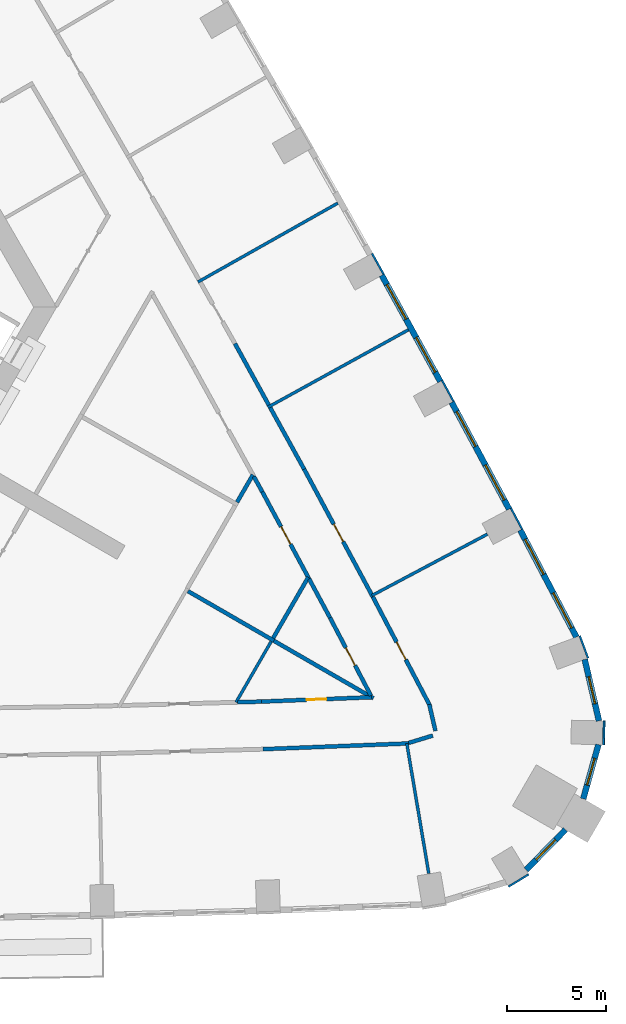
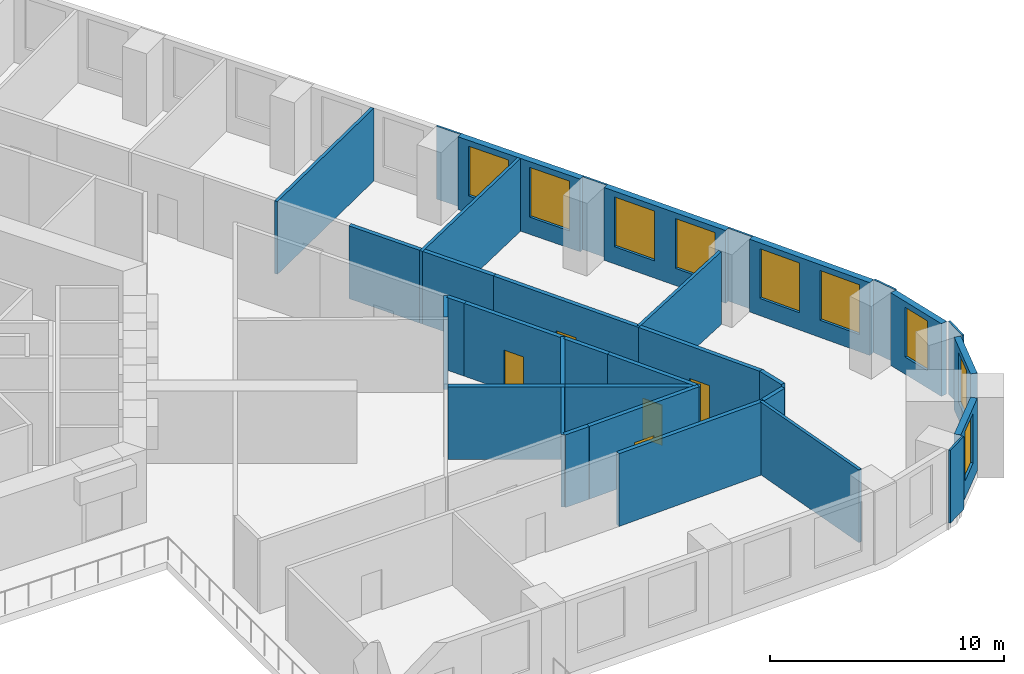
# One storey, part 11 of 15: 34 walls, 9 windows, 5 doors, 14 openings.
"""IFC4 building model written with IfcOpenShell, lengths in metres."""

from ifc_helpers import new_model, si_unit, direction, frame, frame_2d, origin, place, context, subcontext, project, spatial, rectangle, extrude, material, layer, layer_set, type_object, element, fill, save


model = new_model("IFC4")

# Units and contexts
model_context = context("Model", 3, precision=1e-05, world=origin(), true_north=direction((0.0, 1.0)))
body_context = subcontext(model_context, "Body", "Model", "MODEL_VIEW")
ifc_project = project(units=[si_unit("LENGTHUNIT", "METRE"), si_unit("AREAUNIT", "SQUARE_METRE"), si_unit("VOLUMEUNIT", "CUBIC_METRE"), si_unit("PLANEANGLEUNIT", "RADIAN"), si_unit("MASSUNIT", "GRAM", prefix="KILO")], contexts=[model_context])

# Site, building, storey
site_placement = place(None, origin())
site = spatial("IfcSite", under=ifc_project, at=site_placement, CompositionType="ELEMENT")
building_placement = place(site_placement, origin())
building = spatial("IfcBuilding", under=site, at=building_placement, Name="Entoto Arch Interchange Tower", CompositionType="ELEMENT")
storey_placement = place(building_placement, frame((0.0, 0.0, 39.199951171875)))
storey = spatial("IfcBuildingStorey", under=building, at=storey_placement, Name="L07", CompositionType="ELEMENT", Elevation=39.199951171875)

# Walls
ifc_material_1 = material(Name="Gypsum board partition on steel studs", Category="steel")
ifc_layer_1 = layer(ifc_material_1, 0.14990234375)
ifc_layer_set_1 = layer_set([ifc_layer_1], Name="Gypsum board partition on steel studs")
wall_type_1 = type_object("IfcWallType", Name="PARTITION 150", PredefinedType="PARTITIONING", material=ifc_layer_set_1)
wall_1_placement = place(storey_placement, frame((24.675048828125, -14.362060546875, 0.0), z_axis=(0.0, 0.0, 1.0), x_axis=(-0.500187988959, -0.865916841101, 0.0)))
element("IfcWall", 1, at=wall_1_placement, inside=storey, type_object=wall_type_1, Name="wall:L07:p118", PredefinedType="PARTITIONING", context=body_context, shape_type="SweptSolid", body=[
    extrude(rectangle(XDim=3.540771484375, YDim=0.14990234375, at=frame_2d((1.7705078125, 0.0))), origin(), (0.0, 0.0, 1.0), 3.800048828125),
])
wall_2_placement = place(storey_placement, frame((31.514892578125, -19.506103515625, 0.0), z_axis=(0.0, 0.0, 1.0), x_axis=(0.166785823947, -0.985993148521, 0.0)))
element("IfcWall", 2, at=wall_2_placement, inside=storey, type_object=wall_type_1, Name="wall:L07:p127", PredefinedType="PARTITIONING", context=body_context, shape_type="SweptSolid", body=[
    extrude(rectangle(XDim=6.650146484375, YDim=0.14990234375, at=frame_2d((3.3251953125, 0.0))), origin(), (0.0, 0.0, 1.0), 3.800048828125),
])
wall_3_placement = place(storey_placement, frame((29.763916015625, -12.0400390625, 0.0), z_axis=(0.0, 0.0, 1.0), x_axis=(0.883018657393, 0.469337885426, 0.0)))
element("IfcWall", 3, at=wall_3_placement, inside=storey, type_object=wall_type_1, Name="wall:L07:p128", PredefinedType="PARTITIONING", context=body_context, shape_type="SweptSolid", body=[
    extrude(rectangle(XDim=6.579833984375, YDim=0.14990234375, at=frame_2d((3.2900390625, 0.0))), origin(), (0.0, 0.0, 1.0), 3.800048828125),
])
for number, where, z_axis, x_axis, name in (
    (4, (24.5048828125, -2.552001953125, 0.0), (0.0, 0.0, 1.0), (0.875845276652, 0.482592013369, 0.0), "wall:L07:p129"),
    (5, (20.98291015625, 3.76611328125, 0.0), (0.0, 0.0, 1.0), (0.871022781656, 0.491242622169, 0.0), "wall:L07:p130"),
):
    element("IfcWall", number, at=place(storey_placement, frame(where, z_axis=z_axis, x_axis=x_axis)), inside=storey, type_object=wall_type_1, Name=name, PredefinedType="PARTITIONING", context=body_context, shape_type="SweptSolid", body=[
        extrude(rectangle(XDim=8.099853515625, YDim=0.14990234375, at=frame_2d((4.0498046875, 0.0))), origin(), (0.0, 0.0, 1.0), 3.800048828125),
    ])

# Wall, opening, door
ifc_layer_2 = layer(ifc_material_1, 0.199951171875)
ifc_layer_set_2 = layer_set([ifc_layer_2], Name="Gypsum board partition on steel studs")
wall_type_2 = type_object("IfcWallType", Name="PARTITION 200", PredefinedType="PARTITIONING", material=ifc_layer_set_2)
wall_4_placement = place(storey_placement, frame((26.592041015625, -11.2109375, 0.0), z_axis=(0.0, 0.0, 1.0), x_axis=(-0.473737860011, 0.880665907136, 0.0)))
wall_4 = element("IfcWall", 6, at=wall_4_placement, inside=storey, type_object=wall_type_2, Name="wall:L07:p019", PredefinedType="PARTITIONING", context=body_context, shape_type="SweptSolid", body=[
    extrude(rectangle(XDim=4.988037109375, YDim=0.199951171875, at=frame_2d((2.494140625, 0.0))), origin(), (0.0, 0.0, 1.0), 3.800048828125),
])
opening_1_placement = place(wall_4_placement, frame((1.993896484375, 0.0, 0.0)))
opening_1 = element("IfcOpeningElement", 7, at=opening_1_placement, cuts=wall_4, Name="Opening L07-D26", PredefinedType="OPENING", context=body_context, shape_type="SweptSolid", body=[
    extrude(rectangle(XDim=1.0, YDim=2.10009765625, at=frame_2d((0.5, 1.050048828125))), frame((0.0, 0.10986328125, 0.0), z_axis=(0.0, -1.0, 0.0), x_axis=(1.0, 0.0, 0.0)), (0.0, 0.0, 1.0), 0.219970703125),
])
ifc_material_2 = material(Name="Timber door leaf in Steel S235 frame", Category="steel")
door_type = type_object("IfcDoorType", Name="DOOR DS-10 1000x2100", OperationType="SINGLE_SWING_LEFT", PredefinedType="DOOR", material=ifc_material_2)
door_1_placement = place(opening_1_placement, origin())
door_1 = element("IfcDoor", 8, at=door_1_placement, inside=storey, type_object=door_type, Name="door:L07:26", OperationType="SINGLE_SWING_LEFT", OverallHeight=2.10009765625, OverallWidth=1.0, PredefinedType="DOOR", context=body_context, shape_type="SweptSolid", body=[
    extrude(rectangle(XDim=1.0, YDim=2.10009765625, at=frame_2d((0.5, 1.050048828125))), frame((0.0, 0.02490234375, 0.0), z_axis=(0.0, -1.0, 0.0), x_axis=(1.0, 0.0, 0.0)), (0.0, 0.0, 1.0), 0.050048828125),
])
fill(opening_1, door_1)

# Walls
wall_5_placement = place(storey_placement, frame((24.22900390625, -6.818115234375, 0.0), z_axis=(0.0, 0.0, 1.0), x_axis=(-0.482120251302, 0.876105052653, 0.0)))
element("IfcWall", 9, at=wall_5_placement, inside=storey, type_object=wall_type_2, Name="wall:L07:p020", PredefinedType="PARTITIONING", context=body_context, shape_type="SweptSolid", body=[
    extrude(rectangle(XDim=0.883544921875, YDim=0.199951171875, at=frame_2d((0.44189453125, 0.0))), origin(), (0.0, 0.0, 1.0), 3.800048828125),
])
wall_6_placement = place(storey_placement, frame((22.97900390625, -17.426025390625, 0.0), z_axis=(0.0, 0.0, 1.0), x_axis=(0.999623609507, 0.027434272674, 0.0)))
element("IfcWall", 10, at=wall_6_placement, inside=storey, type_object=wall_type_2, Name="wall:L07:p021", PredefinedType="PARTITIONING", context=body_context, shape_type="SweptSolid", body=[
    extrude(rectangle(XDim=1.201416015625, YDim=0.199951171875, at=frame_2d((0.6005859375, 0.0))), origin(), (0.0, 0.0, 1.0), 3.800048828125),
])

# Wall, opening, door
wall_7_placement = place(storey_placement, frame((24.179931640625, -17.39306640625, 0.0), z_axis=(0.0, 0.0, 1.0), x_axis=(0.999226657848, 0.039320303228, 0.0)))
wall_7 = element("IfcWall", 11, at=wall_7_placement, inside=storey, type_object=wall_type_2, Name="wall:L07:p022", PredefinedType="PARTITIONING", context=body_context, shape_type="SweptSolid", body=[
    extrude(rectangle(XDim=5.569580078125, YDim=0.199951171875, at=frame_2d((2.78466796875, 0.0))), origin(), (0.0, 0.0, 1.0), 3.800048828125),
])
opening_2_placement = place(wall_7_placement, frame((2.283935546875, 0.0, 0.0)))
opening_2 = element("IfcOpeningElement", 12, at=opening_2_placement, cuts=wall_7, Name="Opening L07-D27", PredefinedType="OPENING", context=body_context, shape_type="SweptSolid", body=[
    extrude(rectangle(XDim=1.0, YDim=2.10009765625, at=frame_2d((0.5, 1.050048828125))), frame((0.0, 0.10986328125, 0.0), z_axis=(0.0, -1.0, 0.0), x_axis=(1.0, 0.0, 0.0)), (0.0, 0.0, 1.0), 0.219970703125),
])
door_2_placement = place(opening_2_placement, origin())
door_2 = element("IfcDoor", 13, at=door_2_placement, inside=storey, type_object=door_type, Name="door:L07:27", OperationType="SINGLE_SWING_LEFT", OverallHeight=2.10009765625, OverallWidth=1.0, PredefinedType="DOOR", context=body_context, shape_type="SweptSolid", body=[
    extrude(rectangle(XDim=1.0, YDim=2.10009765625, at=frame_2d((0.5, 1.050048828125))), frame((0.0, 0.02490234375, 0.0), z_axis=(0.0, -1.0, 0.0), x_axis=(1.0, 0.0, 0.0)), (0.0, 0.0, 1.0), 0.050048828125),
])
fill(opening_2, door_2)

wall_8_placement = place(storey_placement, frame((29.701904296875, -17.0849609375, 0.0), z_axis=(0.0, 0.0, 1.0), x_axis=(-0.464998228159, 0.88531161057, 0.0)))
wall_8 = element("IfcWall", 14, at=wall_8_placement, inside=storey, type_object=wall_type_2, Name="wall:L07:p023", PredefinedType="PARTITIONING", context=body_context, shape_type="SweptSolid", body=[
    extrude(rectangle(XDim=4.425537109375, YDim=0.199951171875, at=frame_2d((2.212890625, 0.0))), origin(), (0.0, 0.0, 1.0), 3.800048828125),
])
opening_3_placement = place(wall_8_placement, frame((1.712890625, 0.0, 0.0)))
opening_3 = element("IfcOpeningElement", 15, at=opening_3_placement, cuts=wall_8, Name="Opening L07-D28", PredefinedType="OPENING", context=body_context, shape_type="SweptSolid", body=[
    extrude(rectangle(XDim=1.0, YDim=2.10009765625, at=frame_2d((0.5, 1.050048828125))), frame((0.0, 0.10986328125, 0.0), z_axis=(0.0, -1.0, 0.0), x_axis=(1.0, 0.0, 0.0)), (0.0, 0.0, 1.0), 0.219970703125),
])
door_3_placement = place(opening_3_placement, origin())
door_3 = element("IfcDoor", 16, at=door_3_placement, inside=storey, type_object=door_type, Name="door:L07:28", OperationType="SINGLE_SWING_LEFT", OverallHeight=2.10009765625, OverallWidth=1.0, PredefinedType="DOOR", context=body_context, shape_type="SweptSolid", body=[
    extrude(rectangle(XDim=1.0, YDim=2.10009765625, at=frame_2d((0.5, 1.050048828125))), frame((0.0, 0.02490234375, 0.0), z_axis=(0.0, -1.0, 0.0), x_axis=(1.0, 0.0, 0.0)), (0.0, 0.0, 1.0), 0.050048828125),
])
fill(opening_3, door_3)

# Walls
wall_9_placement = place(storey_placement, frame((27.64404296875, -13.1669921875, 0.0), z_axis=(0.0, 0.0, 1.0), x_axis=(-0.473660574093, 0.880707477287, 0.0)))
element("IfcWall", 17, at=wall_9_placement, inside=storey, type_object=wall_type_2, Name="wall:L07:p024", PredefinedType="PARTITIONING", context=body_context, shape_type="SweptSolid", body=[
    extrude(rectangle(XDim=2.220947265625, YDim=0.199951171875, at=frame_2d((1.1103515625, 0.0))), origin(), (0.0, 0.0, 1.0), 3.800048828125),
])
wall_10_placement = place(storey_placement, frame((31.614990234375, -19.5029296875, 0.0), z_axis=(0.0, 0.0, 1.0), x_axis=(-0.999228381006, -0.039276489048, 0.0)))
element("IfcWall", 18, at=wall_10_placement, inside=storey, type_object=wall_type_2, Name="wall:L07:p036", PredefinedType="PARTITIONING", context=body_context, shape_type="SweptSolid", body=[
    extrude(rectangle(XDim=7.359619140625, YDim=0.199951171875, at=frame_2d((3.6796875, 0.0))), origin(), (0.0, 0.0, 1.0), 3.800048828125),
])

# Wall, opening, door
wall_11_placement = place(storey_placement, frame((29.799072265625, -12.10693359375, 0.0), z_axis=(0.0, 0.0, 1.0), x_axis=(0.464767882002, -0.885432558617, 0.0)))
wall_11 = element("IfcWall", 19, at=wall_11_placement, inside=storey, type_object=wall_type_2, Name="wall:L07:p038", PredefinedType="PARTITIONING", context=body_context, shape_type="SweptSolid", body=[
    extrude(rectangle(XDim=6.233154296875, YDim=0.199951171875, at=frame_2d((3.11669921875, 0.0))), origin(), (0.0, 0.0, 1.0), 3.800048828125),
])
opening_4_placement = place(wall_11_placement, frame((2.580078125, 0.0, 0.0)))
opening_4 = element("IfcOpeningElement", 20, at=opening_4_placement, cuts=wall_11, Name="Opening L07-D03", PredefinedType="OPENING", context=body_context, shape_type="SweptSolid", body=[
    extrude(rectangle(XDim=1.0, YDim=2.10009765625, at=frame_2d((0.5, 1.050048828125))), frame((0.0, 0.10986328125, 0.0), z_axis=(0.0, -1.0, 0.0), x_axis=(1.0, 0.0, 0.0)), (0.0, 0.0, 1.0), 0.219970703125),
])
door_4_placement = place(opening_4_placement, origin())
door_4 = element("IfcDoor", 21, at=door_4_placement, inside=storey, type_object=door_type, Name="door:L07:03", OperationType="SINGLE_SWING_LEFT", OverallHeight=2.10009765625, OverallWidth=1.0, PredefinedType="DOOR", context=body_context, shape_type="SweptSolid", body=[
    extrude(rectangle(XDim=1.0, YDim=2.10009765625, at=frame_2d((0.5, 1.050048828125))), frame((0.0, 0.02490234375, 0.0), z_axis=(0.0, -1.0, 0.0), x_axis=(1.0, 0.0, 0.0)), (0.0, 0.0, 1.0), 0.050048828125),
])
fill(opening_4, door_4)

# Walls
wall_12_placement = place(storey_placement, frame((32.64990234375, -17.5380859375, 0.0), z_axis=(0.0, 0.0, 1.0), x_axis=(0.226081445763, -0.974108402531, 0.0)))
element("IfcWall", 22, at=wall_12_placement, inside=storey, type_object=wall_type_2, Name="wall:L07:p039", PredefinedType="PARTITIONING", context=body_context, shape_type="SweptSolid", body=[
    extrude(rectangle(XDim=1.371337890625, YDim=0.199951171875, at=frame_2d((0.685546875, 0.0))), origin(), (0.0, 0.0, 1.0), 3.800048828125),
])
wall_13_placement = place(storey_placement, frame((32.823974609375, -19.10693359375, 0.0), z_axis=(0.0, 0.0, 1.0), x_axis=(-0.956459113118, -0.291866347723, 0.0)))
element("IfcWall", 23, at=wall_13_placement, inside=storey, type_object=wall_type_2, Name="wall:L07:p040", PredefinedType="PARTITIONING", context=body_context, shape_type="SweptSolid", body=[
    extrude(rectangle(XDim=1.26806640625, YDim=0.199951171875, at=frame_2d((0.634033203125, 0.0))), origin(), (0.0, 0.0, 1.0), 3.800048828125),
])
wall_14_placement = place(storey_placement, frame((24.6279296875, -2.569091796875, 0.0), z_axis=(0.0, 0.0, 1.0), x_axis=(0.482566980384, -0.875859069396, 0.0)))
element("IfcWall", 24, at=wall_14_placement, inside=storey, type_object=wall_type_2, Name="wall:L07:p041", PredefinedType="PARTITIONING", context=body_context, shape_type="SweptSolid", body=[
    extrude(rectangle(XDim=3.54150390625, YDim=0.199951171875, at=frame_2d((1.770751953125, 0.0))), origin(), (0.0, 0.0, 1.0), 3.800048828125),
])

# Wall, opening, door
wall_15_placement = place(storey_placement, frame((26.3369140625, -5.6708984375, 0.0), z_axis=(0.0, 0.0, 1.0), x_axis=(0.473794961698, -0.880635187958, 0.0)))
wall_15 = element("IfcWall", 25, at=wall_15_placement, inside=storey, type_object=wall_type_2, Name="wall:L07:p042", PredefinedType="PARTITIONING", context=body_context, shape_type="SweptSolid", body=[
    extrude(rectangle(XDim=7.307373046875, YDim=0.199951171875, at=frame_2d((3.65380859375, 0.0))), origin(), (0.0, 0.0, 1.0), 3.800048828125),
])
opening_5_placement = place(wall_15_placement, frame((3.154052734375, 0.0, 0.0)))
opening_5 = element("IfcOpeningElement", 26, at=opening_5_placement, cuts=wall_15, Name="Opening L07-D04", PredefinedType="OPENING", context=body_context, shape_type="SweptSolid", body=[
    extrude(rectangle(XDim=1.0, YDim=2.10009765625, at=frame_2d((0.5, 1.050048828125))), frame((0.0, 0.10986328125, 0.0), z_axis=(0.0, -1.0, 0.0), x_axis=(1.0, 0.0, 0.0)), (0.0, 0.0, 1.0), 0.219970703125),
])
door_5_placement = place(opening_5_placement, origin())
door_5 = element("IfcDoor", 27, at=door_5_placement, inside=storey, type_object=door_type, Name="door:L07:04", OperationType="SINGLE_SWING_LEFT", OverallHeight=2.10009765625, OverallWidth=1.0, PredefinedType="DOOR", context=body_context, shape_type="SweptSolid", body=[
    extrude(rectangle(XDim=1.0, YDim=2.10009765625, at=frame_2d((0.5, 1.050048828125))), frame((0.0, 0.02490234375, 0.0), z_axis=(0.0, -1.0, 0.0), x_axis=(1.0, 0.0, 0.0)), (0.0, 0.0, 1.0), 0.050048828125),
])
fill(opening_5, door_5)

# Walls
wall_16_placement = place(storey_placement, frame((22.846923828125, 0.6640625, 0.0), z_axis=(0.0, 0.0, 1.0), x_axis=(0.482537844436, -0.875875121628, 0.0)))
element("IfcWall", 28, at=wall_16_placement, inside=storey, type_object=wall_type_2, Name="wall:L07:p044", PredefinedType="PARTITIONING", context=body_context, shape_type="SweptSolid", body=[
    extrude(rectangle(XDim=3.541748046875, YDim=0.199951171875, at=frame_2d((1.77099609375, 0.0))), origin(), (0.0, 0.0, 1.0), 3.800048828125),
])
wall_17_placement = place(storey_placement, frame((23.75390625, -5.9560546875, 0.0), z_axis=(0.0, 0.0, 1.0), x_axis=(-0.500093796661, -0.865971243484, 0.0)))
element("IfcWall", 29, at=wall_17_placement, inside=storey, type_object=wall_type_2, Name="wall:L07:p116", PredefinedType="PARTITIONING", context=body_context, shape_type="SweptSolid", body=[
    extrude(rectangle(XDim=1.593505859375, YDim=0.199951171875, at=frame_2d((0.796875, 0.0))), origin(), (0.0, 0.0, 1.0), 3.800048828125),
])
wall_18_placement = place(storey_placement, frame((20.48193359375, -11.823974609375, 0.0), z_axis=(0.0, 0.0, 1.0), x_axis=(0.866022959057, -0.500004234368, 0.0)))
element("IfcWall", 30, at=wall_18_placement, inside=storey, type_object=wall_type_2, Name="wall:L07:p117", PredefinedType="PARTITIONING", context=body_context, shape_type="SweptSolid", body=[
    extrude(rectangle(XDim=5.0, YDim=0.199951171875, at=frame_2d((2.5, 0.0))), origin(), (0.0, 0.0, 1.0), 3.800048828125),
])
wall_19_placement = place(storey_placement, frame((26.544921875, -11.123046875, 0.0), z_axis=(0.0, 0.0, 1.0), x_axis=(-0.500100605862, -0.865967311171, 0.0)))
element("IfcWall", 31, at=wall_19_placement, inside=storey, type_object=wall_type_2, Name="wall:L07:p119", PredefinedType="PARTITIONING", context=body_context, shape_type="SweptSolid", body=[
    extrude(rectangle(XDim=3.539306640625, YDim=0.199951171875, at=frame_2d((1.76953125, 0.0))), origin(), (0.0, 0.0, 1.0), 3.800048828125),
])
wall_20_placement = place(storey_placement, frame((24.81103515625, -14.325927734375, 0.0), z_axis=(0.0, 0.0, 1.0), x_axis=(0.866076195524, -0.499912015806, 0.0)))
element("IfcWall", 32, at=wall_20_placement, inside=storey, type_object=wall_type_2, Name="wall:L07:p120", PredefinedType="PARTITIONING", context=body_context, shape_type="SweptSolid", body=[
    extrude(rectangle(XDim=5.79736328125, YDim=0.199951171875, at=frame_2d((2.898681640625, 0.0))), origin(), (0.0, 0.0, 1.0), 3.800048828125),
])

# Wall, opening, window
ifc_material_3 = material(Name="Welded tuff (ignimbrite) cladding, warm buff", Category="masonry")
ifc_layer_3 = layer(ifc_material_3, 0.300048828125)
ifc_layer_set_3 = layer_set([ifc_layer_3], Name="Welded tuff (ignimbrite) cladding, warm buff")
wall_type_3 = type_object("IfcWallType", Name="STONE INFILL WALL 300", PredefinedType="STANDARD", material=ifc_layer_set_3)
wall_21_placement = place(storey_placement, frame((37.531005859375, -25.883056640625, 0.0), z_axis=(0.0, 0.0, 1.0), x_axis=(0.699151821451, 0.714973237654, 0.0)))
wall_21 = element("IfcWall", 33, at=wall_21_placement, inside=storey, type_object=wall_type_3, Name="Facade wall SE-02 L07", PredefinedType="STANDARD", context=body_context, shape_type="SweptSolid", body=[
    extrude(rectangle(XDim=2.83935546875, YDim=0.300048828125, at=frame_2d((1.419677734375, 0.0))), origin(), (0.0, 0.0, 1.0), 3.800048828125),
])
opening_6_placement = place(wall_21_placement, frame((0.719970703125, 0.0, 0.89990234375)))
opening_6 = element("IfcOpeningElement", 34, at=opening_6_placement, cuts=wall_21, Name="Opening WO-B", PredefinedType="OPENING", context=body_context, shape_type="SweptSolid", body=[
    extrude(rectangle(XDim=1.39990234375, YDim=2.60009765625, at=frame_2d((0.699951171875, 1.300048828125))), frame((0.0, 0.16015625, 0.0), z_axis=(0.0, -1.0, 0.0), x_axis=(1.0, 0.0, 0.0)), (0.0, 0.0, 1.0), 0.320068359375),
])
ifc_material_4 = material(Name="Clear glass, low-e double glazed", Category="glass")
window_type_1 = type_object("IfcWindowType", Name="WINDOW WO-B 1400x2600", PartitioningType="DOUBLE_PANEL_VERTICAL", PredefinedType="WINDOW", material=ifc_material_4)
window_1_placement = place(opening_6_placement, origin())
window_1 = element("IfcWindow", 35, at=window_1_placement, inside=storey, type_object=window_type_1, Name="Window WO-B SE-02 L07", OverallHeight=2.60009765625, OverallWidth=1.39990234375, PartitioningType="SINGLE_PANEL", PredefinedType="WINDOW", context=body_context, shape_type="SweptSolid", body=[
    extrude(rectangle(XDim=1.39990234375, YDim=2.60009765625, at=frame_2d((0.699951171875, 1.300048828125))), frame((0.0, 0.030029296875, 0.0), z_axis=(0.0, -1.0, 0.0), x_axis=(1.0, 0.0, 0.0)), (0.0, 0.0, 1.0), 0.06005859375),
])
fill(opening_6, window_1)

wall_22_placement = place(storey_placement, frame((40.4150390625, -22.2958984375, 0.0), z_axis=(0.0, 0.0, 1.0), x_axis=(0.269754317033, 0.962929181426, 0.0)))
wall_22 = element("IfcWall", 36, at=wall_22_placement, inside=storey, type_object=wall_type_3, Name="Facade wall SE-03 L07", PredefinedType="STANDARD", context=body_context, shape_type="SweptSolid", body=[
    extrude(rectangle(XDim=2.839111328125, YDim=0.300048828125, at=frame_2d((1.41943359375, 0.0))), origin(), (0.0, 0.0, 1.0), 3.800048828125),
])
opening_7_placement = place(wall_22_placement, frame((0.719970703125, 0.0, 0.89990234375)))
opening_7 = element("IfcOpeningElement", 37, at=opening_7_placement, cuts=wall_22, Name="Opening WO-B", PredefinedType="OPENING", context=body_context, shape_type="SweptSolid", body=[
    extrude(rectangle(XDim=1.39990234375, YDim=2.60009765625, at=frame_2d((0.699951171875, 1.300048828125))), frame((0.0, 0.16015625, 0.0), z_axis=(0.0, -1.0, 0.0), x_axis=(1.0, 0.0, 0.0)), (0.0, 0.0, 1.0), 0.320068359375),
])
window_2_placement = place(opening_7_placement, origin())
window_2 = element("IfcWindow", 38, at=window_2_placement, inside=storey, type_object=window_type_1, Name="Window WO-B SE-03 L07", OverallHeight=2.60009765625, OverallWidth=1.39990234375, PartitioningType="SINGLE_PANEL", PredefinedType="WINDOW", context=body_context, shape_type="SweptSolid", body=[
    extrude(rectangle(XDim=1.39990234375, YDim=2.60009765625, at=frame_2d((0.699951171875, 1.300048828125))), frame((0.0, 0.030029296875, 0.0), z_axis=(0.0, -1.0, 0.0), x_axis=(1.0, 0.0, 0.0)), (0.0, 0.0, 1.0), 0.06005859375),
])
fill(opening_7, window_2)

wall_23_placement = place(storey_placement, frame((41.2080078125, -18.364013671875, 0.0), z_axis=(0.0, 0.0, 1.0), x_axis=(-0.225929520451, 0.974143650489, 0.0)))
wall_23 = element("IfcWall", 39, at=wall_23_placement, inside=storey, type_object=wall_type_3, Name="Facade wall SE-04 L07", PredefinedType="STANDARD", context=body_context, shape_type="SweptSolid", body=[
    extrude(rectangle(XDim=3.182373046875, YDim=0.300048828125, at=frame_2d((1.59130859375, 0.0))), origin(), (0.0, 0.0, 1.0), 3.800048828125),
])
opening_8_placement = place(wall_23_placement, frame((0.89111328125, 0.0, 0.89990234375)))
opening_8 = element("IfcOpeningElement", 40, at=opening_8_placement, cuts=wall_23, Name="Opening WO-B", PredefinedType="OPENING", context=body_context, shape_type="SweptSolid", body=[
    extrude(rectangle(XDim=1.39990234375, YDim=2.60009765625, at=frame_2d((0.699951171875, 1.300048828125))), frame((0.0, 0.16015625, 0.0), z_axis=(0.0, -1.0, 0.0), x_axis=(1.0, 0.0, 0.0)), (0.0, 0.0, 1.0), 0.320068359375),
])
window_3_placement = place(opening_8_placement, origin())
window_3 = element("IfcWindow", 41, at=window_3_placement, inside=storey, type_object=window_type_1, Name="Window WO-B SE-04 L07", OverallHeight=2.60009765625, OverallWidth=1.39990234375, PartitioningType="SINGLE_PANEL", PredefinedType="WINDOW", context=body_context, shape_type="SweptSolid", body=[
    extrude(rectangle(XDim=1.39990234375, YDim=2.60009765625, at=frame_2d((0.699951171875, 1.300048828125))), frame((0.0, 0.030029296875, 0.0), z_axis=(0.0, -1.0, 0.0), x_axis=(1.0, 0.0, 0.0)), (0.0, 0.0, 1.0), 0.06005859375),
])
fill(opening_8, window_3)

# Wall, openings, windows
wall_24_placement = place(storey_placement, frame((40.072021484375, -14.14111328125, 0.0), z_axis=(0.0, 0.0, 1.0), x_axis=(-0.464913987781, 0.885355851602, 0.0)))
wall_24 = element("IfcWall", 42, at=wall_24_placement, inside=storey, type_object=wall_type_3, Name="Facade wall NE-01 L07", PredefinedType="STANDARD", context=body_context, shape_type="SweptSolid", body=[
    extrude(rectangle(XDim=6.093505859375, YDim=0.300048828125, at=frame_2d((3.046875, 0.0))), origin(), (0.0, 0.0, 1.0), 3.800048828125),
])
opening_9_placement = place(wall_24_placement, frame((0.52294921875, 0.0, 0.89990234375)))
opening_9 = element("IfcOpeningElement", 43, at=opening_9_placement, cuts=wall_24, Name="Opening WO-C", PredefinedType="OPENING", context=body_context, shape_type="SweptSolid", body=[
    extrude(rectangle(XDim=2.0, YDim=2.60009765625, at=frame_2d((1.0, 1.300048828125))), frame((0.0, 0.16015625, 0.0), z_axis=(0.0, -1.0, 0.0), x_axis=(1.0, 0.0, 0.0)), (0.0, 0.0, 1.0), 0.320068359375),
])
opening_10_placement = place(wall_24_placement, frame((3.570068359375, 0.0, 0.89990234375)))
opening_10 = element("IfcOpeningElement", 44, at=opening_10_placement, cuts=wall_24, Name="Opening WO-C", PredefinedType="OPENING", context=body_context, shape_type="SweptSolid", body=[
    extrude(rectangle(XDim=2.0, YDim=2.60009765625, at=frame_2d((1.0, 1.300048828125))), frame((0.0, 0.16015625, 0.0), z_axis=(0.0, -1.0, 0.0), x_axis=(1.0, 0.0, 0.0)), (0.0, 0.0, 1.0), 0.320068359375),
])
window_type_2 = type_object("IfcWindowType", Name="WINDOW WO-C 2000x2600", PartitioningType="DOUBLE_PANEL_VERTICAL", PredefinedType="WINDOW", material=ifc_material_4)
window_4_placement = place(opening_9_placement, origin())
window_4 = element("IfcWindow", 45, at=window_4_placement, inside=storey, type_object=window_type_2, Name="Window WO-C NE-01 L07", OverallHeight=2.60009765625, OverallWidth=2.0, PartitioningType="SINGLE_PANEL", PredefinedType="WINDOW", context=body_context, shape_type="SweptSolid", body=[
    extrude(rectangle(XDim=2.0, YDim=2.60009765625, at=frame_2d((1.0, 1.300048828125))), frame((0.0, 0.030029296875, 0.0), z_axis=(0.0, -1.0, 0.0), x_axis=(1.0, 0.0, 0.0)), (0.0, 0.0, 1.0), 0.06005859375),
])
fill(opening_9, window_4)
window_5_placement = place(opening_10_placement, origin())
window_5 = element("IfcWindow", 46, at=window_5_placement, inside=storey, type_object=window_type_2, Name="Window WO-C NE-01 L07", OverallHeight=2.60009765625, OverallWidth=2.0, PartitioningType="SINGLE_PANEL", PredefinedType="WINDOW", context=body_context, shape_type="SweptSolid", body=[
    extrude(rectangle(XDim=2.0, YDim=2.60009765625, at=frame_2d((1.0, 1.300048828125))), frame((0.0, 0.030029296875, 0.0), z_axis=(0.0, -1.0, 0.0), x_axis=(1.0, 0.0, 0.0)), (0.0, 0.0, 1.0), 0.06005859375),
])
fill(opening_10, window_5)

wall_25_placement = place(storey_placement, frame((36.677001953125, -7.68798828125, 0.0), z_axis=(0.0, 0.0, 1.0), x_axis=(-0.47375467653, 0.880656860795, 0.0)))
wall_25 = element("IfcWall", 47, at=wall_25_placement, inside=storey, type_object=wall_type_3, Name="Facade wall NE-02 L07", PredefinedType="STANDARD", context=body_context, shape_type="SweptSolid", body=[
    extrude(rectangle(XDim=6.116943359375, YDim=0.300048828125, at=frame_2d((3.05859375, 0.0))), origin(), (0.0, 0.0, 1.0), 3.800048828125),
])
opening_11_placement = place(wall_25_placement, frame((0.529052734375, 0.0, 0.89990234375)))
opening_11 = element("IfcOpeningElement", 48, at=opening_11_placement, cuts=wall_25, Name="Opening WO-C", PredefinedType="OPENING", context=body_context, shape_type="SweptSolid", body=[
    extrude(rectangle(XDim=2.0, YDim=2.60009765625, at=frame_2d((1.0, 1.300048828125))), frame((0.0, 0.16015625, 0.0), z_axis=(0.0, -1.0, 0.0), x_axis=(1.0, 0.0, 0.0)), (0.0, 0.0, 1.0), 0.320068359375),
])
opening_12_placement = place(wall_25_placement, frame((3.587890625, 0.0, 0.89990234375)))
opening_12 = element("IfcOpeningElement", 49, at=opening_12_placement, cuts=wall_25, Name="Opening WO-C", PredefinedType="OPENING", context=body_context, shape_type="SweptSolid", body=[
    extrude(rectangle(XDim=2.0, YDim=2.60009765625, at=frame_2d((1.0, 1.300048828125))), frame((0.0, 0.16015625, 0.0), z_axis=(0.0, -1.0, 0.0), x_axis=(1.0, 0.0, 0.0)), (0.0, 0.0, 1.0), 0.320068359375),
])
window_6_placement = place(opening_11_placement, origin())
window_6 = element("IfcWindow", 50, at=window_6_placement, inside=storey, type_object=window_type_2, Name="Window WO-C NE-02 L07", OverallHeight=2.60009765625, OverallWidth=2.0, PartitioningType="SINGLE_PANEL", PredefinedType="WINDOW", context=body_context, shape_type="SweptSolid", body=[
    extrude(rectangle(XDim=2.0, YDim=2.60009765625, at=frame_2d((1.0, 1.300048828125))), frame((0.0, 0.030029296875, 0.0), z_axis=(0.0, -1.0, 0.0), x_axis=(1.0, 0.0, 0.0)), (0.0, 0.0, 1.0), 0.06005859375),
])
fill(opening_11, window_6)
window_7_placement = place(opening_12_placement, origin())
window_7 = element("IfcWindow", 51, at=window_7_placement, inside=storey, type_object=window_type_2, Name="Window WO-C NE-02 L07", OverallHeight=2.60009765625, OverallWidth=2.0, PartitioningType="SINGLE_PANEL", PredefinedType="WINDOW", context=body_context, shape_type="SweptSolid", body=[
    extrude(rectangle(XDim=2.0, YDim=2.60009765625, at=frame_2d((1.0, 1.300048828125))), frame((0.0, 0.030029296875, 0.0), z_axis=(0.0, -1.0, 0.0), x_axis=(1.0, 0.0, 0.0)), (0.0, 0.0, 1.0), 0.06005859375),
])
fill(opening_12, window_7)

wall_26_placement = place(storey_placement, frame((33.2060546875, -1.2490234375, 0.0), z_axis=(0.0, 0.0, 1.0), x_axis=(-0.482596003603, 0.875843078015, 0.0)))
wall_26 = element("IfcWall", 52, at=wall_26_placement, inside=storey, type_object=wall_type_3, Name="Facade wall NE-03 L07", PredefinedType="STANDARD", context=body_context, shape_type="SweptSolid", body=[
    extrude(rectangle(XDim=6.115234375, YDim=0.300048828125, at=frame_2d((3.0576171875, 0.0))), origin(), (0.0, 0.0, 1.0), 3.800048828125),
])
opening_13_placement = place(wall_26_placement, frame((0.529052734375, 0.0, 0.89990234375)))
opening_13 = element("IfcOpeningElement", 53, at=opening_13_placement, cuts=wall_26, Name="Opening WO-C", PredefinedType="OPENING", context=body_context, shape_type="SweptSolid", body=[
    extrude(rectangle(XDim=2.0, YDim=2.60009765625, at=frame_2d((1.0, 1.300048828125))), frame((0.0, 0.16015625, 0.0), z_axis=(0.0, -1.0, 0.0), x_axis=(1.0, 0.0, 0.0)), (0.0, 0.0, 1.0), 0.320068359375),
])
opening_14_placement = place(wall_26_placement, frame((3.5859375, 0.0, 0.89990234375)))
opening_14 = element("IfcOpeningElement", 54, at=opening_14_placement, cuts=wall_26, Name="Opening WO-C", PredefinedType="OPENING", context=body_context, shape_type="SweptSolid", body=[
    extrude(rectangle(XDim=2.0, YDim=2.60009765625, at=frame_2d((1.0, 1.300048828125))), frame((0.0, 0.16015625, 0.0), z_axis=(0.0, -1.0, 0.0), x_axis=(1.0, 0.0, 0.0)), (0.0, 0.0, 1.0), 0.320068359375),
])
window_8_placement = place(opening_13_placement, origin())
window_8 = element("IfcWindow", 55, at=window_8_placement, inside=storey, type_object=window_type_2, Name="Window WO-C NE-03 L07", OverallHeight=2.60009765625, OverallWidth=2.0, PartitioningType="SINGLE_PANEL", PredefinedType="WINDOW", context=body_context, shape_type="SweptSolid", body=[
    extrude(rectangle(XDim=2.0, YDim=2.60009765625, at=frame_2d((1.0, 1.300048828125))), frame((0.0, 0.030029296875, 0.0), z_axis=(0.0, -1.0, 0.0), x_axis=(1.0, 0.0, 0.0)), (0.0, 0.0, 1.0), 0.06005859375),
])
fill(opening_13, window_8)
window_9_placement = place(opening_14_placement, origin())
window_9 = element("IfcWindow", 56, at=window_9_placement, inside=storey, type_object=window_type_2, Name="Window WO-C NE-03 L07", OverallHeight=2.60009765625, OverallWidth=2.0, PartitioningType="SINGLE_PANEL", PredefinedType="WINDOW", context=body_context, shape_type="SweptSolid", body=[
    extrude(rectangle(XDim=2.0, YDim=2.60009765625, at=frame_2d((1.0, 1.300048828125))), frame((0.0, 0.030029296875, 0.0), z_axis=(0.0, -1.0, 0.0), x_axis=(1.0, 0.0, 0.0)), (0.0, 0.0, 1.0), 0.06005859375),
])
fill(opening_14, window_9)

# Walls
ifc_layer_4 = layer(ifc_material_3, 0.10009765625)
ifc_layer_set_4 = layer_set([ifc_layer_4], Name="Welded tuff (ignimbrite) cladding, warm buff")
wall_type_4 = type_object("IfcWallType", Name="STONE PIER CLADDING 100", PredefinedType="STANDARD", material=ifc_layer_set_4)
wall_27_placement = place(storey_placement, frame((40.656005859375, -15.202880859375, 0.0), z_axis=(0.0, 0.0, 1.0), x_axis=(-0.348268249601, 0.937394914814, 0.0)))
element("IfcWall", 57, at=wall_27_placement, inside=storey, type_object=wall_type_4, Name="Stone pier NE01 L07", PredefinedType="STANDARD", context=body_context, shape_type="SweptSolid", body=[
    extrude(rectangle(XDim=1.2001953125, YDim=0.10009765625, at=frame_2d((0.60009765625, 0.0))), origin(), (0.0, 0.0, 1.0), 3.800048828125),
])
wall_28_placement = place(storey_placement, frame((37.330078125, -8.697998046875, 0.0), z_axis=(0.0, 0.0, 1.0), x_axis=(-0.469383408131, 0.882994459876, 0.0)))
element("IfcWall", 58, at=wall_28_placement, inside=storey, type_object=wall_type_4, Name="Stone pier NE02 L07", PredefinedType="STANDARD", context=body_context, shape_type="SweptSolid", body=[
    extrude(rectangle(XDim=1.199462890625, YDim=0.10009765625, at=frame_2d((0.599609375, 0.0))), origin(), (0.0, 0.0, 1.0), 3.800048828125),
])
wall_29_placement = place(storey_placement, frame((33.8701171875, -2.2529296875, 0.0), z_axis=(0.0, 0.0, 1.0), x_axis=(-0.478424520456, 0.878128679765, 0.0)))
element("IfcWall", 59, at=wall_29_placement, inside=storey, type_object=wall_type_4, Name="Stone pier NE03 L07", PredefinedType="STANDARD", context=body_context, shape_type="SweptSolid", body=[
    extrude(rectangle(XDim=1.2001953125, YDim=0.10009765625, at=frame_2d((0.60009765625, 0.0))), origin(), (0.0, 0.0, 1.0), 3.800048828125),
])
wall_30_placement = place(storey_placement, frame((30.344970703125, 4.156982421875, 0.0), z_axis=(0.0, 0.0, 1.0), x_axis=(-0.486730996044, 0.87355190887, 0.0)))
element("IfcWall", 60, at=wall_30_placement, inside=storey, type_object=wall_type_4, Name="Stone pier NE04 L07", PredefinedType="STANDARD", context=body_context, shape_type="SweptSolid", body=[
    extrude(rectangle(XDim=1.19970703125, YDim=0.10009765625, at=frame_2d((0.599853515625, 0.0))), origin(), (0.0, 0.0, 1.0), 3.800048828125),
])
for number, where, z_axis, x_axis, name in (
    (61, (36.639892578125, -26.72607421875, 0.0), (0.0, 0.0, 1.0), (0.854771404281, 0.51900466898, 0.0), "Stone pier SE1 L07"),
    (62, (41.43896484375, -19.569091796875, 0.0), (0.0, 0.0, 1.0), (0.02338660436, 0.999726495966, 0.0), "Stone pier SE3 L07"),
):
    element("IfcWall", number, at=place(storey_placement, frame(where, z_axis=z_axis, x_axis=x_axis)), inside=storey, type_object=wall_type_4, Name=name, PredefinedType="STANDARD", context=body_context, shape_type="SweptSolid", body=[
        extrude(rectangle(XDim=1.200439453125, YDim=0.10009765625, at=frame_2d((0.60009765625, 0.0))), origin(), (0.0, 0.0, 1.0), 3.800048828125),
    ])

save(model, "model.ifc")
